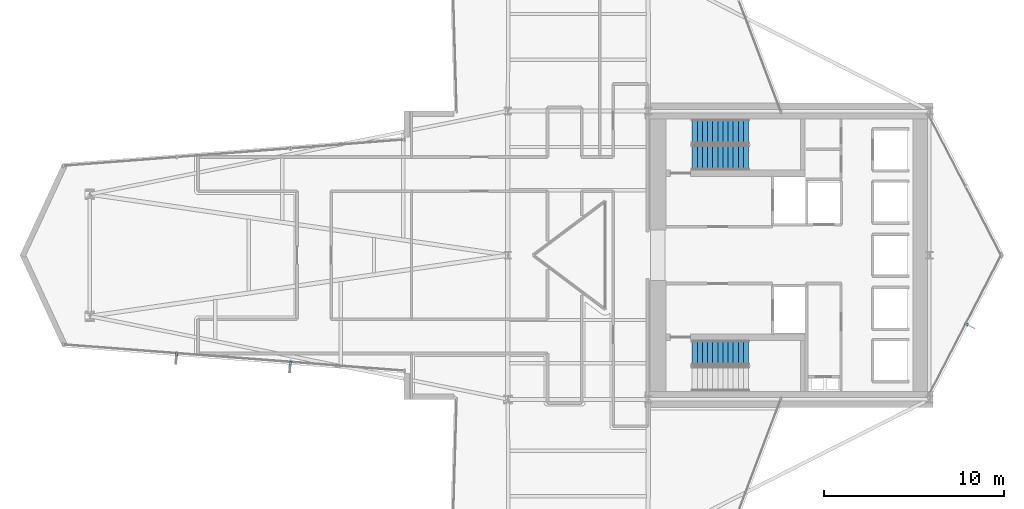
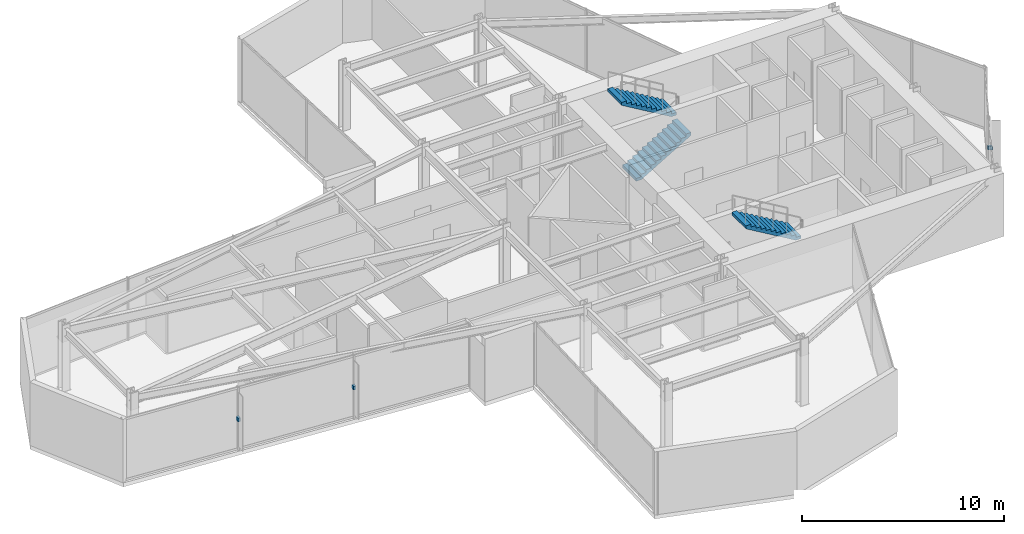
# One storey, part 28 of 30: 3 discrete accessories, 3 stair flights, 2 elements without a shape of their own.
"""IFC4 building model written with IfcOpenShell, lengths in metres."""

from ifc_helpers import new_model, si_unit, direction, frame, origin, origin_2d, place, context, subcontext, project, spatial, polyline, rectangle, outline, extrude, material, layer, layer_set, type_object, element, aggregate, save


model = new_model("IFC4")

# Units and contexts
model_context = context("Model", 3, precision=1e-05, world=origin(), true_north=direction((0.0, 1.0)))
body_context = subcontext(model_context, "Body", "Model", "MODEL_VIEW")
ifc_project = project(units=[si_unit("LENGTHUNIT", "METRE"), si_unit("AREAUNIT", "SQUARE_METRE"), si_unit("VOLUMEUNIT", "CUBIC_METRE"), si_unit("PLANEANGLEUNIT", "RADIAN"), si_unit("MASSUNIT", "GRAM", prefix="KILO")], contexts=[model_context])

# Site, building, storey
site_placement = place(None, origin())
site = spatial("IfcSite", under=ifc_project, at=site_placement, CompositionType="ELEMENT")
building_placement = place(site_placement, origin())
building = spatial("IfcBuilding", under=site, at=building_placement, Name="Veymaron Broadcast Tower", CompositionType="ELEMENT")
storey_placement = place(building_placement, frame((0.0, 0.0, 37.800048828125)))
storey = spatial("IfcBuildingStorey", under=building, at=storey_placement, Name="L07", CompositionType="ELEMENT", Elevation=37.800048828125)

# Stair, stair flights
ifc_material_1 = material(Name="Concrete C50/60", Category="concrete")
stair_type_1 = type_object("IfcStairType", Name="STAIR-CORE-1", PredefinedType="HALF_TURN_STAIR", material=ifc_material_1)
stair_1_placement = place(storey_placement, origin())
stair_1 = element("IfcStair", 1, at=stair_1_placement, inside=storey, type_object=stair_type_1, Name="L07 North protected dog-leg exit stair ST1", PredefinedType="HALF_TURN_STAIR")
ifc_material_2 = material(Name="Precast concrete C50/60", Category="concrete")
stair_flight_type = type_object("IfcStairFlightType", Name="FLT-CORE-RC", PredefinedType="STRAIGHT", material=ifc_material_2)
stair_flight_1_placement = place(storey_placement, frame((41.429931640625, 29.419921875, 0.0), z_axis=(0.0, 0.0, 1.0), x_axis=(1.0, 0.0, 0.0)))
stair_flight_1 = element("IfcStairFlight", 2, at=stair_flight_1_placement, type_object=stair_flight_type, Name="ST1 flight 1", NumberOfRisers=12, NumberOfTreads=11, PredefinedType="STRAIGHT", RiserHeight=0.16875, TreadLength=0.285, context=body_context, shape_type="SweptSolid", body=[
    extrude(outline(polyline([(0.0, 0.0), (0.0, 0.168701171875), (0.284912109375, 0.168701171875), (0.284912109375, 0.33740234375), (0.570068359375, 0.33740234375), (0.570068359375, 0.50634765625), (0.85498046875, 0.50634765625), (0.85498046875, 0.675048828125), (1.139892578125, 0.675048828125), (1.139892578125, 0.84375), (1.425048828125, 0.84375), (1.425048828125, 1.012451171875), (1.7099609375, 1.012451171875), (1.7099609375, 1.18115234375), (1.9951171875, 1.18115234375), (1.9951171875, 1.35009765625), (2.280029296875, 1.35009765625), (2.280029296875, 1.518798828125), (2.56494140625, 1.518798828125), (2.56494140625, 1.6875), (2.85009765625, 1.6875), (2.85009765625, 1.856201171875), (3.135009765625, 1.856201171875), (3.135009765625, 2.02490234375), (3.135009765625, 1.68212890625), (0.294189453125, 0.0), (0.0, 0.0)])), frame((0.0, 0.68994140625, 0.0), z_axis=(0.0, -1.0, 0.0), x_axis=(1.0, 0.0, 0.0)), (0.0, 0.0, 1.0), 1.3798828125),
])
stair_flight_2_placement = place(storey_placement, frame((44.56494140625, 30.860107421875, 2.02490234375), z_axis=(0.0, 0.0, 1.0), x_axis=(-1.0, 0.0, 0.0)))
stair_flight_2 = element("IfcStairFlight", 3, at=stair_flight_2_placement, type_object=stair_flight_type, Name="ST1 flight 2", NumberOfRisers=12, NumberOfTreads=11, PredefinedType="STRAIGHT", RiserHeight=0.16875, TreadLength=0.285, context=body_context, shape_type="SweptSolid", body=[
    extrude(outline(polyline([(0.0, 0.0), (0.0, 0.168701171875), (0.284912109375, 0.168701171875), (0.284912109375, 0.33740234375), (0.570068359375, 0.33740234375), (0.570068359375, 0.50634765625), (0.85498046875, 0.50634765625), (0.85498046875, 0.675048828125), (1.139892578125, 0.675048828125), (1.139892578125, 0.84375), (1.425048828125, 0.84375), (1.425048828125, 1.012451171875), (1.7099609375, 1.012451171875), (1.7099609375, 1.18115234375), (1.9951171875, 1.18115234375), (1.9951171875, 1.35009765625), (2.280029296875, 1.35009765625), (2.280029296875, 1.518798828125), (2.56494140625, 1.518798828125), (2.56494140625, 1.6875), (2.85009765625, 1.6875), (2.85009765625, 1.856201171875), (3.135009765625, 1.856201171875), (3.135009765625, 2.02490234375), (3.135009765625, 1.68212890625), (0.294189453125, 0.0), (0.0, 0.0)])), frame((0.0, 0.68994140625, 0.0), z_axis=(0.0, -1.0, 0.0), x_axis=(1.0, 0.0, 0.0)), (0.0, 0.0, 1.0), 1.3798828125),
])
aggregate(stair_1, [stair_flight_1, stair_flight_2])

# Stair, stair flight
stair_type_2 = type_object("IfcStairType", Name="STAIR-CORE-2", PredefinedType="HALF_TURN_STAIR", material=ifc_material_1)
stair_2_placement = place(storey_placement, origin())
stair_2 = element("IfcStair", 4, at=stair_2_placement, inside=storey, type_object=stair_type_2, Name="L07 South protected dog-leg exit stair ST2", PredefinedType="HALF_TURN_STAIR")
stair_flight_3_placement = place(storey_placement, frame((44.56494140625, 18.580078125, 2.02490234375), z_axis=(0.0, 0.0, 1.0), x_axis=(-1.0, 0.0, 0.0)))
stair_flight_3 = element("IfcStairFlight", 5, at=stair_flight_3_placement, type_object=stair_flight_type, Name="ST2 flight 2", NumberOfRisers=12, NumberOfTreads=11, PredefinedType="STRAIGHT", RiserHeight=0.16875, TreadLength=0.285, context=body_context, shape_type="SweptSolid", body=[
    extrude(outline(polyline([(0.0, 0.0), (0.0, 0.168701171875), (0.284912109375, 0.168701171875), (0.284912109375, 0.33740234375), (0.570068359375, 0.33740234375), (0.570068359375, 0.50634765625), (0.85498046875, 0.50634765625), (0.85498046875, 0.675048828125), (1.139892578125, 0.675048828125), (1.139892578125, 0.84375), (1.425048828125, 0.84375), (1.425048828125, 1.012451171875), (1.7099609375, 1.012451171875), (1.7099609375, 1.18115234375), (1.9951171875, 1.18115234375), (1.9951171875, 1.35009765625), (2.280029296875, 1.35009765625), (2.280029296875, 1.518798828125), (2.56494140625, 1.518798828125), (2.56494140625, 1.6875), (2.85009765625, 1.6875), (2.85009765625, 1.856201171875), (3.135009765625, 1.856201171875), (3.135009765625, 2.02490234375), (3.135009765625, 1.68212890625), (0.294189453125, 0.0), (0.0, 0.0)])), frame((0.0, 0.68994140625, 0.0), z_axis=(0.0, -1.0, 0.0), x_axis=(1.0, 0.0, 0.0)), (0.0, 0.0, 1.0), 1.3798828125),
])
aggregate(stair_2, [stair_flight_3])

# Discrete accessories
ifc_material_3 = material(Name="Austenitic stainless steel AISI 316L", Category="steel")
ifc_layer = layer(ifc_material_3, 0.1201171875)
ifc_layer_set = layer_set([ifc_layer], Name="Austenitic stainless steel AISI 316L")
discrete_accessory_type = type_object("IfcDiscreteAccessoryType", Name="ACC-BRKT-SS1", PredefinedType="BRACKET", material=ifc_layer_set)
for number, where, z_axis, x_axis, name in (
    (6, (56.663330078125, 20.164306640625, 1.794921875), (0.0, 0.0, 1.0), (0.88826475309, -0.459331828221, 0.0), "CW-L07-E2-1 fin bracket 1"),
    (7, (12.822021484375, 18.49853515625, 1.794921875), (0.0, 0.0, 1.0), (-0.076597214581, -0.997062117783, 0.0), "CW-L07-E14-1 fin bracket 1"),
    (8, (19.13818359375, 18.01318359375, 1.794921875), (0.0, 0.0, 1.0), (-0.076597214581, -0.997062117783, 0.0), "CW-L07-E14-1 fin bracket 2"),
):
    element("IfcDiscreteAccessory", number, at=place(storey_placement, frame(where, z_axis=z_axis, x_axis=x_axis)), inside=storey, type_object=discrete_accessory_type, Name=name, PredefinedType="BRACKET", context=body_context, shape_type="SweptSolid", body=[
        extrude(rectangle(XDim=0.219970703125, YDim=0.139892578125, at=origin_2d()), origin(), (0.0, 0.0, 1.0), 0.219970703125),
    ])

save(model, "model.ifc")
